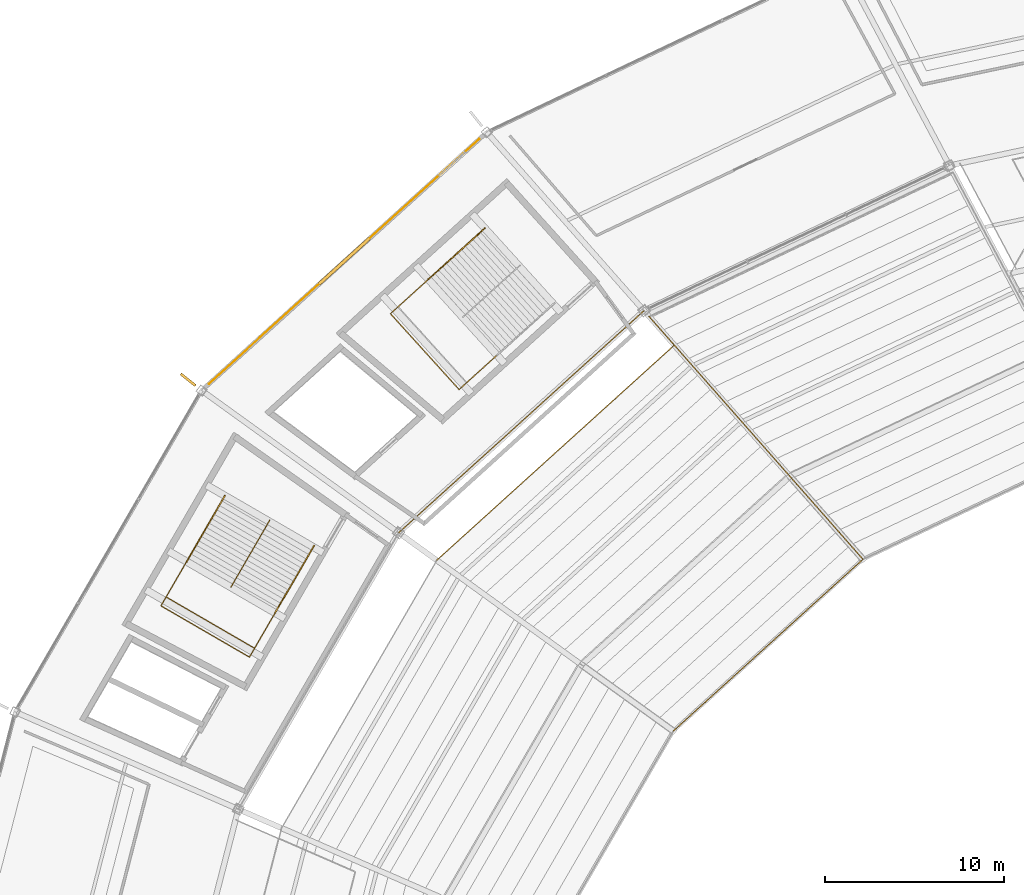
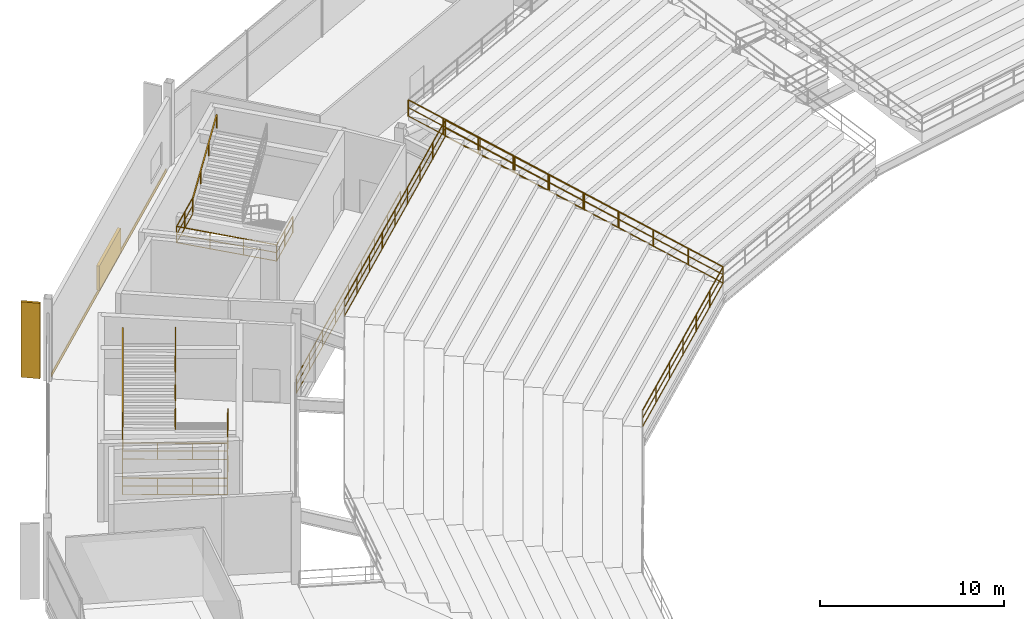
# One storey, part 181 of 186: 12 railings, 2 shading devices, 1 covering.
"""IFC4 building model written with IfcOpenShell, lengths in metres."""

from ifc_helpers import new_model, si_unit, direction, frame, origin, origin_2d, place, context, subcontext, project, spatial, rectangle, extrude, material, layer, layer_set, type_object, element, save


model = new_model("IFC4")

# Units and contexts
model_context = context("Model", 3, precision=1e-05, world=origin(), true_north=direction((0.0, 1.0)))
body_context = subcontext(model_context, "Body", "Model", "MODEL_VIEW")
ifc_project = project(units=[si_unit("LENGTHUNIT", "METRE"), si_unit("AREAUNIT", "SQUARE_METRE"), si_unit("VOLUMEUNIT", "CUBIC_METRE"), si_unit("PLANEANGLEUNIT", "RADIAN"), si_unit("MASSUNIT", "GRAM", prefix="KILO")], contexts=[model_context])

# Site, building, storey
site_placement = place(None, origin())
site = spatial("IfcSite", under=ifc_project, at=site_placement, CompositionType="ELEMENT")
building_placement = place(site_placement, origin())
building = spatial("IfcBuilding", under=site, at=building_placement, Name="Kazemori Nagisa Stadium", CompositionType="ELEMENT")
storey_placement = place(building_placement, frame((0.0, 0.0, 20.39990234375)))
storey = spatial("IfcBuildingStorey", under=building, at=storey_placement, Name="L04", CompositionType="ELEMENT", Elevation=20.39990234375)

# Covering
ifc_material_1 = material(Name="Anodised aluminium 6063-T5", Category="aluminium")
ifc_layer = layer(ifc_material_1, 0.034912109375, Name="Anodised aluminium 6063-T5", Category="aluminium")
ifc_layer_set = layer_set([ifc_layer], Name="Anodised aluminium 6063-T5")
covering_type = type_object("IfcCoveringType", Name="Covering_CLAD", PredefinedType="CLADDING", material=ifc_layer_set)
covering_placement = place(storey_placement, frame((52.453369140625, 165.86328125, -0.259765625), z_axis=(0.0, 0.0, 1.0), x_axis=(-0.741350875443, -0.671117634607, 0.0)))
element("IfcCovering", 1, at=covering_placement, inside=storey, type_object=covering_type, Name="Anodised fascia cladding L04-B11", PredefinedType="CLADDING", context=body_context, shape_type="SweptSolid", body=[
    extrude(rectangle(XDim=20.34375, YDim=0.0400390625, at=origin_2d()), origin(), (0.0, 0.0, 1.0), 0.260009765625),
])

# Shading devices
ifc_material_2 = material(Name="Aluminium 6063-T5 anodised", Category="aluminium")
shading_device_type_1 = type_object("IfcShadingDeviceType", Name="Fin_FN03", PredefinedType="USERDEFINED", material=ifc_material_2)
shading_device_1_placement = place(storey_placement, frame((43.758056640625, 159.26318359375, 0.0), z_axis=(0.0, 0.0, 1.0), x_axis=(-0.781831482473, 0.623489801853, 0.0)))
element("IfcShadingDevice", 2, at=shading_device_1_placement, inside=storey, type_object=shading_device_type_1, Name="Aerodynamic wave shading fin L04-12", ObjectType="FIN", PredefinedType="USERDEFINED", context=body_context, shape_type="SweptSolid", body=[
    extrude(rectangle(XDim=1.050048828125, YDim=0.139892578125, at=origin_2d()), origin(), (0.0, 0.0, 1.0), 5.0),
])
shading_device_type_2 = type_object("IfcShadingDeviceType", Name="Louvre_LV02", PredefinedType="JALOUSIE", material=ifc_material_2)
shading_device_2_placement = place(storey_placement, frame((52.453369140625, 165.86328125, -0.010009765625), z_axis=(0.0, 0.0, 1.0), x_axis=(-0.741350875443, -0.671117634607, 0.0)))
element("IfcShadingDevice", 3, at=shading_device_2_placement, inside=storey, type_object=shading_device_type_2, Name="Concourse ventilation louvre L04-B11", PredefinedType="JALOUSIE", context=body_context, shape_type="SweptSolid", body=[
    extrude(rectangle(XDim=3.800048828125, YDim=0.179931640625, at=origin_2d()), origin(), (0.0, 0.0, 1.0), 1.60009765625),
])

# Railings
ifc_material_3 = material(Name="Laminated safety glass and stainless steel SUS304", Category="steel")
railing_type_1 = type_object("IfcRailingType", Name="Rail_BAL", PredefinedType="BALUSTRADE", material=ifc_material_3)
railing_1_placement = place(storey_placement, frame((69.165771484375, 163.11083984375, 0.0)))
element("IfcRailing", 4, at=railing_1_placement, inside=storey, type_object=railing_type_1, Name="Upper concourse balustrade L04-B11", PredefinedType="BALUSTRADE", context=body_context, shape_type="SweptSolid", body=[
    extrude(rectangle(XDim=0.050048828125, YDim=0.050048828125, at=origin_2d()), frame((0.0, 0.0, 1.09521484375), z_axis=(-0.741349142139, -0.671119549298, 0.0), x_axis=(0.671119549298, -0.741349142139, 0.0)), (0.0, 0.0, 1.0), 18.44189453125),
    extrude(rectangle(XDim=0.03759765625, YDim=0.03759765625, at=origin_2d()), frame((0.0, 0.0, 0.58251953125), z_axis=(-0.741349142139, -0.671119549298, 0.0), x_axis=(0.671119549298, -0.741349142139, 0.0)), (0.0, 0.0, 1.0), 18.44189453125),
    extrude(rectangle(XDim=0.03759765625, YDim=0.03759765625, at=origin_2d()), frame((0.0, 0.0, 0.02490234375), z_axis=(-0.741349142139, -0.671119549298, 0.0), x_axis=(0.671119549298, -0.741349142139, 0.0)), (0.0, 0.0, 1.0), 18.44189453125),
    extrude(rectangle(XDim=0.044921875, YDim=0.044921875, at=origin_2d()), origin(), (0.0, 0.0, 1.0), 1.070068359375),
    extrude(rectangle(XDim=0.044921875, YDim=0.044921875, at=origin_2d()), frame((-1.708984375, -1.547119140625, 0.0)), (0.0, 0.0, 1.0), 1.070068359375),
    extrude(rectangle(XDim=0.044921875, YDim=0.044921875, at=origin_2d()), frame((-3.41796875, -3.09423828125, 0.0)), (0.0, 0.0, 1.0), 1.070068359375),
    extrude(rectangle(XDim=0.044921875, YDim=0.044921875, at=origin_2d()), frame((-5.126953125, -4.641357421875, 0.0)), (0.0, 0.0, 1.0), 1.070068359375),
    extrude(rectangle(XDim=0.044921875, YDim=0.044921875, at=origin_2d()), frame((-6.8359375, -6.1884765625, 0.0)), (0.0, 0.0, 1.0), 1.070068359375),
    extrude(rectangle(XDim=0.044921875, YDim=0.044921875, at=origin_2d()), frame((-8.544921875, -7.7353515625, 0.0)), (0.0, 0.0, 1.0), 1.070068359375),
    extrude(rectangle(XDim=0.044921875, YDim=0.044921875, at=origin_2d()), frame((-10.25390625, -9.282470703125, 0.0)), (0.0, 0.0, 1.0), 1.070068359375),
    extrude(rectangle(XDim=0.044921875, YDim=0.044921875, at=origin_2d()), frame((-11.962890625, -10.82958984375, 0.0)), (0.0, 0.0, 1.0), 1.070068359375),
    extrude(rectangle(XDim=0.044921875, YDim=0.044921875, at=origin_2d()), frame((-13.671875, -12.376708984375, 0.0)), (0.0, 0.0, 1.0), 1.070068359375),
])
ifc_material_4 = material(Name="Galvanised powder-coated steel", Category="steel")
railing_type_2 = type_object("IfcRailingType", Name="Rail_GUARD", PredefinedType="GUARDRAIL", material=ifc_material_4)
railing_2_placement = place(storey_placement, frame((60.97412109375, 160.630615234375, 2.72021484375)))
element("IfcRailing", 5, at=railing_2_placement, inside=storey, type_object=railing_type_2, Name="Stair landing guard ST02-L04", PredefinedType="GUARDRAIL", context=body_context, shape_type="SweptSolid", body=[
    extrude(rectangle(XDim=0.050048828125, YDim=0.050048828125, at=origin_2d()), frame((0.0, 0.0, 1.09521484375), z_axis=(-0.741314535645, -0.671157775223, 0.0), x_axis=(0.671157775223, -0.741314535645, 0.0)), (0.0, 0.0, 1.0), 2.85009765625),
    extrude(rectangle(XDim=0.03759765625, YDim=0.03759765625, at=origin_2d()), frame((0.0, 0.0, 0.58251953125), z_axis=(-0.741314535645, -0.671157775223, 0.0), x_axis=(0.671157775223, -0.741314535645, 0.0)), (0.0, 0.0, 1.0), 2.85009765625),
    extrude(rectangle(XDim=0.03759765625, YDim=0.03759765625, at=origin_2d()), frame((0.0, 0.0, 0.02490234375), z_axis=(-0.741314535645, -0.671157775223, 0.0), x_axis=(0.671157775223, -0.741314535645, 0.0)), (0.0, 0.0, 1.0), 2.85009765625),
    extrude(rectangle(XDim=0.050048828125, YDim=0.050048828125, at=origin_2d()), frame((-2.11279296875, -1.912841796875, 1.09521484375), z_axis=(-0.671112926645, 0.74135513736, 0.0), x_axis=(-0.74135513736, -0.671112926645, 0.0)), (0.0, 0.0, 1.0), 5.7001953125),
    extrude(rectangle(XDim=0.03759765625, YDim=0.03759765625, at=origin_2d()), frame((-2.11279296875, -1.912841796875, 0.58251953125), z_axis=(-0.671112926645, 0.74135513736, 0.0), x_axis=(-0.74135513736, -0.671112926645, 0.0)), (0.0, 0.0, 1.0), 5.7001953125),
    extrude(rectangle(XDim=0.03759765625, YDim=0.03759765625, at=origin_2d()), frame((-2.11279296875, -1.912841796875, 0.02490234375), z_axis=(-0.671112926645, 0.74135513736, 0.0), x_axis=(-0.74135513736, -0.671112926645, 0.0)), (0.0, 0.0, 1.0), 5.7001953125),
    extrude(rectangle(XDim=0.050048828125, YDim=0.050048828125, at=origin_2d()), frame((-5.938232421875, 2.31298828125, 1.09521484375), z_axis=(0.741357156534, 0.671110696127, 0.0), x_axis=(-0.671110696127, 0.741357156534, 0.0)), (0.0, 0.0, 1.0), 2.849853515625),
    extrude(rectangle(XDim=0.03759765625, YDim=0.03759765625, at=origin_2d()), frame((-5.938232421875, 2.31298828125, 0.58251953125), z_axis=(0.741357156534, 0.671110696127, 0.0), x_axis=(-0.671110696127, 0.741357156534, 0.0)), (0.0, 0.0, 1.0), 2.849853515625),
    extrude(rectangle(XDim=0.03759765625, YDim=0.03759765625, at=origin_2d()), frame((-5.938232421875, 2.31298828125, 0.02490234375), z_axis=(0.741357156534, 0.671110696127, 0.0), x_axis=(-0.671110696127, 0.741357156534, 0.0)), (0.0, 0.0, 1.0), 2.849853515625),
    extrude(rectangle(XDim=0.044921875, YDim=0.044921875, at=origin_2d()), origin(), (0.0, 0.0, 1.0), 1.070068359375),
    extrude(rectangle(XDim=0.044921875, YDim=0.044921875, at=origin_2d()), frame((-1.056396484375, -0.95654296875, 0.0)), (0.0, 0.0, 1.0), 1.070068359375),
    extrude(rectangle(XDim=0.044921875, YDim=0.044921875, at=origin_2d()), frame((-2.11279296875, -1.912841796875, 0.0)), (0.0, 0.0, 1.0), 1.070068359375),
    extrude(rectangle(XDim=0.044921875, YDim=0.044921875, at=origin_2d()), frame((-3.387939453125, -0.504150390625, 0.0)), (0.0, 0.0, 1.0), 1.070068359375),
    extrude(rectangle(XDim=0.044921875, YDim=0.044921875, at=origin_2d()), frame((-4.6630859375, 0.904296875, 0.0)), (0.0, 0.0, 1.0), 1.070068359375),
    extrude(rectangle(XDim=0.044921875, YDim=0.044921875, at=origin_2d()), frame((-5.938232421875, 2.31298828125, 0.0)), (0.0, 0.0, 1.0), 1.070068359375),
    extrude(rectangle(XDim=0.044921875, YDim=0.044921875, at=origin_2d()), frame((-4.8818359375, 3.269287109375, 0.0)), (0.0, 0.0, 1.0), 1.070068359375),
    extrude(rectangle(XDim=0.044921875, YDim=0.044921875, at=origin_2d()), frame((-3.825439453125, 4.2255859375, 0.0)), (0.0, 0.0, 1.0), 1.070068359375),
])
railing_3_placement = place(storey_placement, frame((50.736083984375, 149.940673828125, 0.0)))
element("IfcRailing", 6, at=railing_3_placement, inside=storey, type_object=railing_type_2, Name="Stair well perimeter guard ST08-L04", PredefinedType="GUARDRAIL", context=body_context, shape_type="SweptSolid", body=[
    extrude(rectangle(XDim=0.050048828125, YDim=0.050048828125, at=origin_2d()), frame((0.0, 0.0, 1.09521484375), z_axis=(-0.501601054686, -0.865099059032, 0.0), x_axis=(0.865099059032, -0.501601054686, 0.0)), (0.0, 0.0, 1.0), 6.52490234375),
    extrude(rectangle(XDim=0.03759765625, YDim=0.03759765625, at=origin_2d()), frame((0.0, 0.0, 0.58251953125), z_axis=(-0.501601054686, -0.865099059032, 0.0), x_axis=(0.865099059032, -0.501601054686, 0.0)), (0.0, 0.0, 1.0), 6.52490234375),
    extrude(rectangle(XDim=0.03759765625, YDim=0.03759765625, at=origin_2d()), frame((0.0, 0.0, 0.02490234375), z_axis=(-0.501601054686, -0.865099059032, 0.0), x_axis=(0.865099059032, -0.501601054686, 0.0)), (0.0, 0.0, 1.0), 6.52490234375),
    extrude(rectangle(XDim=0.050048828125, YDim=0.050048828125, at=origin_2d()), frame((-3.27294921875, -5.644775390625, 1.09521484375), z_axis=(-0.865102561401, 0.501595014188, 0.0), x_axis=(-0.501595014188, -0.865102561401, 0.0)), (0.0, 0.0, 1.0), 5.7001953125),
    extrude(rectangle(XDim=0.03759765625, YDim=0.03759765625, at=origin_2d()), frame((-3.27294921875, -5.644775390625, 0.58251953125), z_axis=(-0.865102561401, 0.501595014188, 0.0), x_axis=(-0.501595014188, -0.865102561401, 0.0)), (0.0, 0.0, 1.0), 5.7001953125),
    extrude(rectangle(XDim=0.03759765625, YDim=0.03759765625, at=origin_2d()), frame((-3.27294921875, -5.644775390625, 0.02490234375), z_axis=(-0.865102561401, 0.501595014188, 0.0), x_axis=(-0.501595014188, -0.865102561401, 0.0)), (0.0, 0.0, 1.0), 5.7001953125),
    extrude(rectangle(XDim=0.050048828125, YDim=0.050048828125, at=origin_2d()), frame((-8.2041015625, -2.78564453125, 1.09521484375), z_axis=(0.501629056017, 0.865082822717, 0.0), x_axis=(-0.865082822717, 0.501629056017, 0.0)), (0.0, 0.0, 1.0), 6.525146484375),
    extrude(rectangle(XDim=0.03759765625, YDim=0.03759765625, at=origin_2d()), frame((-8.2041015625, -2.78564453125, 0.58251953125), z_axis=(0.501629056017, 0.865082822717, 0.0), x_axis=(-0.865082822717, 0.501629056017, 0.0)), (0.0, 0.0, 1.0), 6.525146484375),
    extrude(rectangle(XDim=0.03759765625, YDim=0.03759765625, at=origin_2d()), frame((-8.2041015625, -2.78564453125, 0.02490234375), z_axis=(0.501629056017, 0.865082822717, 0.0), x_axis=(-0.865082822717, 0.501629056017, 0.0)), (0.0, 0.0, 1.0), 6.525146484375),
    extrude(rectangle(XDim=0.044921875, YDim=0.044921875, at=origin_2d()), origin(), (0.0, 0.0, 1.0), 1.070068359375),
    extrude(rectangle(XDim=0.044921875, YDim=0.044921875, at=origin_2d()), frame((-1.091064453125, -1.881591796875, 0.0)), (0.0, 0.0, 1.0), 1.070068359375),
    extrude(rectangle(XDim=0.044921875, YDim=0.044921875, at=origin_2d()), frame((-2.181884765625, -3.76318359375, 0.0)), (0.0, 0.0, 1.0), 1.070068359375),
    extrude(rectangle(XDim=0.044921875, YDim=0.044921875, at=origin_2d()), frame((-3.27294921875, -5.644775390625, 0.0)), (0.0, 0.0, 1.0), 1.070068359375),
    extrude(rectangle(XDim=0.044921875, YDim=0.044921875, at=origin_2d()), frame((-4.916748046875, -4.691650390625, 0.0)), (0.0, 0.0, 1.0), 1.070068359375),
    extrude(rectangle(XDim=0.044921875, YDim=0.044921875, at=origin_2d()), frame((-6.560302734375, -3.73876953125, 0.0)), (0.0, 0.0, 1.0), 1.070068359375),
    extrude(rectangle(XDim=0.044921875, YDim=0.044921875, at=origin_2d()), frame((-8.2041015625, -2.78564453125, 0.0)), (0.0, 0.0, 1.0), 1.070068359375),
    extrude(rectangle(XDim=0.044921875, YDim=0.044921875, at=origin_2d()), frame((-7.113037109375, -0.904052734375, 0.0)), (0.0, 0.0, 1.0), 1.070068359375),
    extrude(rectangle(XDim=0.044921875, YDim=0.044921875, at=origin_2d()), frame((-6.02197265625, 0.9775390625, 0.0)), (0.0, 0.0, 1.0), 1.070068359375),
    extrude(rectangle(XDim=0.044921875, YDim=0.044921875, at=origin_2d()), frame((-4.930908203125, 2.859130859375, 0.0)), (0.0, 0.0, 1.0), 1.070068359375),
])
railing_4_placement = place(storey_placement, frame((48.310791015625, 151.439453125, 0.0)))
element("IfcRailing", 7, at=railing_4_placement, inside=storey, type_object=railing_type_2, Name="Stair central guard ST08-L04", PredefinedType="GUARDRAIL", context=body_context, shape_type="SweptSolid", body=[
    extrude(rectangle(XDim=0.050048828125, YDim=0.050048828125, at=origin_2d()), frame((0.0, 0.0, 1.09521484375), z_axis=(-0.424593654566, -0.732311765685, 0.532390558088), x_axis=(0.865106633618, -0.501587990756, 0.0)), (0.0, 0.0, 1.0), 5.109375),
    extrude(rectangle(XDim=0.03759765625, YDim=0.03759765625, at=origin_2d()), frame((0.0, 0.0, 0.58251953125), z_axis=(-0.424593654566, -0.732311765685, 0.532390558088), x_axis=(0.865106633618, -0.501587990756, 0.0)), (0.0, 0.0, 1.0), 5.109375),
    extrude(rectangle(XDim=0.03759765625, YDim=0.03759765625, at=origin_2d()), frame((0.0, 0.0, 0.02490234375), z_axis=(-0.424593654566, -0.732311765685, 0.532390558088), x_axis=(0.865106633618, -0.501587990756, 0.0)), (0.0, 0.0, 1.0), 5.109375),
    extrude(rectangle(XDim=0.050048828125, YDim=0.050048828125, at=origin_2d()), frame((-2.16943359375, -3.74169921875, 3.8154296875), z_axis=(0.422316044077, 0.728411642588, 0.539504993357), x_axis=(-0.865115045716, 0.50157348183, 0.0)), (0.0, 0.0, 1.0), 5.04150390625),
    extrude(rectangle(XDim=0.03759765625, YDim=0.03759765625, at=origin_2d()), frame((-2.16943359375, -3.74169921875, 3.302734375), z_axis=(0.422316044077, 0.728411642588, 0.539504993357), x_axis=(-0.865115045716, 0.50157348183, 0.0)), (0.0, 0.0, 1.0), 5.04150390625),
    extrude(rectangle(XDim=0.03759765625, YDim=0.03759765625, at=origin_2d()), frame((-2.16943359375, -3.74169921875, 2.7451171875), z_axis=(0.422316044077, 0.728411642588, 0.539504993357), x_axis=(-0.865115045716, 0.50157348183, 0.0)), (0.0, 0.0, 1.0), 5.04150390625),
    extrude(rectangle(XDim=0.044921875, YDim=0.044921875, at=origin_2d()), origin(), (0.0, 0.0, 1.0), 1.070068359375),
    extrude(rectangle(XDim=0.044921875, YDim=0.044921875, at=origin_2d()), frame((-0.72314453125, -1.247314453125, 0.90673828125)), (0.0, 0.0, 1.0), 1.070068359375),
    extrude(rectangle(XDim=0.044921875, YDim=0.044921875, at=origin_2d()), frame((-1.4462890625, -2.494384765625, 1.8134765625)), (0.0, 0.0, 1.0), 1.070068359375),
    extrude(rectangle(XDim=0.044921875, YDim=0.044921875, at=origin_2d()), frame((-2.16943359375, -3.74169921875, 2.72021484375)), (0.0, 0.0, 1.0), 1.070068359375),
    extrude(rectangle(XDim=0.044921875, YDim=0.044921875, at=origin_2d()), frame((-1.459716796875, -2.517578125, 3.626953125)), (0.0, 0.0, 1.0), 1.070068359375),
    extrude(rectangle(XDim=0.044921875, YDim=0.044921875, at=origin_2d()), frame((-0.75, -1.29345703125, 4.533447265625)), (0.0, 0.0, 1.0), 1.070068359375),
    extrude(rectangle(XDim=0.044921875, YDim=0.044921875, at=origin_2d()), frame((-0.040283203125, -0.0693359375, 5.440185546875)), (0.0, 0.0, 1.0), 1.070068359375),
])
railing_5_placement = place(storey_placement, frame((48.606689453125, 146.268310546875, 2.72021484375)))
element("IfcRailing", 8, at=railing_5_placement, inside=storey, type_object=railing_type_2, Name="Stair landing guard ST08-L04", PredefinedType="GUARDRAIL", context=body_context, shape_type="SweptSolid", body=[
    extrude(rectangle(XDim=0.050048828125, YDim=0.050048828125, at=origin_2d()), frame((0.0, 0.0, 1.09521484375), z_axis=(-0.501562958255, -0.865121146954, 0.0), x_axis=(0.865121146954, -0.501562958255, 0.0)), (0.0, 0.0, 1.0), 2.85009765625),
    extrude(rectangle(XDim=0.03759765625, YDim=0.03759765625, at=origin_2d()), frame((0.0, 0.0, 0.58251953125), z_axis=(-0.501562958255, -0.865121146954, 0.0), x_axis=(0.865121146954, -0.501562958255, 0.0)), (0.0, 0.0, 1.0), 2.85009765625),
    extrude(rectangle(XDim=0.03759765625, YDim=0.03759765625, at=origin_2d()), frame((0.0, 0.0, 0.02490234375), z_axis=(-0.501562958255, -0.865121146954, 0.0), x_axis=(0.865121146954, -0.501562958255, 0.0)), (0.0, 0.0, 1.0), 2.85009765625),
    extrude(rectangle(XDim=0.050048828125, YDim=0.050048828125, at=origin_2d()), frame((-1.429443359375, -2.465576171875, 1.09521484375), z_axis=(-0.865102561401, 0.501595014188, 0.0), x_axis=(-0.501595014188, -0.865102561401, 0.0)), (0.0, 0.0, 1.0), 5.7001953125),
    extrude(rectangle(XDim=0.03759765625, YDim=0.03759765625, at=origin_2d()), frame((-1.429443359375, -2.465576171875, 0.58251953125), z_axis=(-0.865102561401, 0.501595014188, 0.0), x_axis=(-0.501595014188, -0.865102561401, 0.0)), (0.0, 0.0, 1.0), 5.7001953125),
    extrude(rectangle(XDim=0.03759765625, YDim=0.03759765625, at=origin_2d()), frame((-1.429443359375, -2.465576171875, 0.02490234375), z_axis=(-0.865102561401, 0.501595014188, 0.0), x_axis=(-0.501595014188, -0.865102561401, 0.0)), (0.0, 0.0, 1.0), 5.7001953125),
    extrude(rectangle(XDim=0.050048828125, YDim=0.050048828125, at=origin_2d()), frame((-6.360595703125, 0.3935546875, 1.09521484375), z_axis=(0.501627068055, 0.865083975458, 0.0), x_axis=(-0.865083975458, 0.501627068055, 0.0)), (0.0, 0.0, 1.0), 2.85009765625),
    extrude(rectangle(XDim=0.03759765625, YDim=0.03759765625, at=origin_2d()), frame((-6.360595703125, 0.3935546875, 0.58251953125), z_axis=(0.501627068055, 0.865083975458, 0.0), x_axis=(-0.865083975458, 0.501627068055, 0.0)), (0.0, 0.0, 1.0), 2.85009765625),
    extrude(rectangle(XDim=0.03759765625, YDim=0.03759765625, at=origin_2d()), frame((-6.360595703125, 0.3935546875, 0.02490234375), z_axis=(0.501627068055, 0.865083975458, 0.0), x_axis=(-0.865083975458, 0.501627068055, 0.0)), (0.0, 0.0, 1.0), 2.85009765625),
    extrude(rectangle(XDim=0.044921875, YDim=0.044921875, at=origin_2d()), origin(), (0.0, 0.0, 1.0), 1.070068359375),
    extrude(rectangle(XDim=0.044921875, YDim=0.044921875, at=origin_2d()), frame((-0.71484375, -1.23291015625, 0.0)), (0.0, 0.0, 1.0), 1.070068359375),
    extrude(rectangle(XDim=0.044921875, YDim=0.044921875, at=origin_2d()), frame((-1.429443359375, -2.465576171875, 0.0)), (0.0, 0.0, 1.0), 1.070068359375),
    extrude(rectangle(XDim=0.044921875, YDim=0.044921875, at=origin_2d()), frame((-3.0732421875, -1.512451171875, 0.0)), (0.0, 0.0, 1.0), 1.070068359375),
    extrude(rectangle(XDim=0.044921875, YDim=0.044921875, at=origin_2d()), frame((-4.716796875, -0.5595703125, 0.0)), (0.0, 0.0, 1.0), 1.070068359375),
    extrude(rectangle(XDim=0.044921875, YDim=0.044921875, at=origin_2d()), frame((-6.360595703125, 0.3935546875, 0.0)), (0.0, 0.0, 1.0), 1.070068359375),
    extrude(rectangle(XDim=0.044921875, YDim=0.044921875, at=origin_2d()), frame((-5.645751953125, 1.62646484375, 0.0)), (0.0, 0.0, 1.0), 1.070068359375),
    extrude(rectangle(XDim=0.044921875, YDim=0.044921875, at=origin_2d()), frame((-4.930908203125, 2.859130859375, 0.0)), (0.0, 0.0, 1.0), 1.070068359375),
])
railing_6_placement = place(storey_placement, frame((81.372314453125, 149.254150390625, -0.8798828125)))
element("IfcRailing", 9, at=railing_6_placement, inside=storey, type_object=railing_type_2, Name="Upper tier radial step guard B10R", PredefinedType="GUARDRAIL", context=body_context, shape_type="SweptSolid", body=[
    extrude(rectangle(XDim=0.050048828125, YDim=0.050048828125, at=origin_2d()), frame((0.0, 0.0, 1.09521484375), z_axis=(-0.615747874347, 0.698980226973, 0.363704821989), x_axis=(-0.750369868369, -0.661018199934, 0.0)), (0.0, 0.0, 1.0), 19.3564453125),
    extrude(rectangle(XDim=0.03759765625, YDim=0.03759765625, at=origin_2d()), frame((0.0, 0.0, 0.58251953125), z_axis=(-0.615747874347, 0.698980226973, 0.363704821989), x_axis=(-0.750369868369, -0.661018199934, 0.0)), (0.0, 0.0, 1.0), 19.3564453125),
    extrude(rectangle(XDim=0.03759765625, YDim=0.03759765625, at=origin_2d()), frame((0.0, 0.0, 0.02490234375), z_axis=(-0.615747874347, 0.698980226973, 0.363704821989), x_axis=(-0.750369868369, -0.661018199934, 0.0)), (0.0, 0.0, 1.0), 19.3564453125),
    extrude(rectangle(XDim=0.044921875, YDim=0.044921875, at=origin_2d()), origin(), (0.0, 0.0, 1.0), 1.070068359375),
    extrude(rectangle(XDim=0.044921875, YDim=0.044921875, at=origin_2d()), frame((-1.32421875, 1.50341796875, 0.7822265625)), (0.0, 0.0, 1.0), 1.070068359375),
    extrude(rectangle(XDim=0.044921875, YDim=0.044921875, at=origin_2d()), frame((-2.648681640625, 3.006591796875, 1.564453125)), (0.0, 0.0, 1.0), 1.070068359375),
    extrude(rectangle(XDim=0.044921875, YDim=0.044921875, at=origin_2d()), frame((-3.972900390625, 4.510009765625, 2.3466796875)), (0.0, 0.0, 1.0), 1.070068359375),
    extrude(rectangle(XDim=0.044921875, YDim=0.044921875, at=origin_2d()), frame((-5.297119140625, 6.01318359375, 3.12890625)), (0.0, 0.0, 1.0), 1.070068359375),
    extrude(rectangle(XDim=0.044921875, YDim=0.044921875, at=origin_2d()), frame((-6.62158203125, 7.5166015625, 3.9111328125)), (0.0, 0.0, 1.0), 1.070068359375),
    extrude(rectangle(XDim=0.044921875, YDim=0.044921875, at=origin_2d()), frame((-7.94580078125, 9.019775390625, 4.693359375)), (0.0, 0.0, 1.0), 1.070068359375),
    extrude(rectangle(XDim=0.044921875, YDim=0.044921875, at=origin_2d()), frame((-9.27001953125, 10.523193359375, 5.4755859375)), (0.0, 0.0, 1.0), 1.070068359375),
    extrude(rectangle(XDim=0.044921875, YDim=0.044921875, at=origin_2d()), frame((-10.594482421875, 12.0263671875, 6.2578125)), (0.0, 0.0, 1.0), 1.070068359375),
    extrude(rectangle(XDim=0.044921875, YDim=0.044921875, at=origin_2d()), frame((-11.918701171875, 13.52978515625, 7.0400390625)), (0.0, 0.0, 1.0), 1.070068359375),
])
railing_7_placement = place(storey_placement, frame((81.372314453125, 149.254150390625, -0.8798828125)))
element("IfcRailing", 10, at=railing_7_placement, inside=storey, type_object=railing_type_2, Name="Upper tier front crowd barrier B11", PredefinedType="GUARDRAIL", context=body_context, shape_type="SweptSolid", body=[
    extrude(rectangle(XDim=0.050048828125, YDim=0.050048828125, at=origin_2d()), frame((0.0, 0.0, 1.09521484375), z_axis=(-0.7413568829, -0.671110998402, 0.0), x_axis=(0.671110998402, -0.7413568829, 0.0)), (0.0, 0.0, 1.0), 14.260009765625),
    extrude(rectangle(XDim=0.03759765625, YDim=0.03759765625, at=origin_2d()), frame((0.0, 0.0, 0.58251953125), z_axis=(-0.7413568829, -0.671110998402, 0.0), x_axis=(0.671110998402, -0.7413568829, 0.0)), (0.0, 0.0, 1.0), 14.260009765625),
    extrude(rectangle(XDim=0.03759765625, YDim=0.03759765625, at=origin_2d()), frame((0.0, 0.0, 0.02490234375), z_axis=(-0.7413568829, -0.671110998402, 0.0), x_axis=(0.671110998402, -0.7413568829, 0.0)), (0.0, 0.0, 1.0), 14.260009765625),
    extrude(rectangle(XDim=0.044921875, YDim=0.044921875, at=origin_2d()), origin(), (0.0, 0.0, 1.0), 1.070068359375),
    extrude(rectangle(XDim=0.044921875, YDim=0.044921875, at=origin_2d()), frame((-1.761962890625, -1.594970703125, 0.0)), (0.0, 0.0, 1.0), 1.070068359375),
    extrude(rectangle(XDim=0.044921875, YDim=0.044921875, at=origin_2d()), frame((-3.52392578125, -3.18994140625, 0.0)), (0.0, 0.0, 1.0), 1.070068359375),
    extrude(rectangle(XDim=0.044921875, YDim=0.044921875, at=origin_2d()), frame((-5.285888671875, -4.78515625, 0.0)), (0.0, 0.0, 1.0), 1.070068359375),
    extrude(rectangle(XDim=0.044921875, YDim=0.044921875, at=origin_2d()), frame((-7.0478515625, -6.380126953125, 0.0)), (0.0, 0.0, 1.0), 1.070068359375),
    extrude(rectangle(XDim=0.044921875, YDim=0.044921875, at=origin_2d()), frame((-8.809814453125, -7.97509765625, 0.0)), (0.0, 0.0, 1.0), 1.070068359375),
    extrude(rectangle(XDim=0.044921875, YDim=0.044921875, at=origin_2d()), frame((-10.57177734375, -9.570068359375, 0.0)), (0.0, 0.0, 1.0), 1.070068359375),
])
railing_8_placement = place(storey_placement, frame((70.85595703125, 161.192138671875, 5.280029296875)))
element("IfcRailing", 11, at=railing_8_placement, inside=storey, type_object=railing_type_2, Name="Upper tier rear guard B11", PredefinedType="GUARDRAIL", context=body_context, shape_type="SweptSolid", body=[
    extrude(rectangle(XDim=0.050048828125, YDim=0.050048828125, at=origin_2d()), frame((0.0, 0.0, 1.09521484375), z_axis=(-0.741352808081, -0.671115499709, 0.0), x_axis=(0.671115499709, -0.741352808081, 0.0)), (0.0, 0.0, 1.0), 17.86279296875),
    extrude(rectangle(XDim=0.03759765625, YDim=0.03759765625, at=origin_2d()), frame((0.0, 0.0, 0.58251953125), z_axis=(-0.741352808081, -0.671115499709, 0.0), x_axis=(0.671115499709, -0.741352808081, 0.0)), (0.0, 0.0, 1.0), 17.86279296875),
    extrude(rectangle(XDim=0.03759765625, YDim=0.03759765625, at=origin_2d()), frame((0.0, 0.0, 0.02490234375), z_axis=(-0.741352808081, -0.671115499709, 0.0), x_axis=(0.671115499709, -0.741352808081, 0.0)), (0.0, 0.0, 1.0), 17.86279296875),
    extrude(rectangle(XDim=0.044921875, YDim=0.044921875, at=origin_2d()), origin(), (0.0, 0.0, 1.0), 1.070068359375),
    extrude(rectangle(XDim=0.044921875, YDim=0.044921875, at=origin_2d()), frame((-1.6552734375, -1.49853515625, 0.0)), (0.0, 0.0, 1.0), 1.070068359375),
    extrude(rectangle(XDim=0.044921875, YDim=0.044921875, at=origin_2d()), frame((-3.310546875, -2.9970703125, 0.0)), (0.0, 0.0, 1.0), 1.070068359375),
    extrude(rectangle(XDim=0.044921875, YDim=0.044921875, at=origin_2d()), frame((-4.966064453125, -4.49560546875, 0.0)), (0.0, 0.0, 1.0), 1.070068359375),
    extrude(rectangle(XDim=0.044921875, YDim=0.044921875, at=origin_2d()), frame((-6.621337890625, -5.994140625, 0.0)), (0.0, 0.0, 1.0), 1.070068359375),
    extrude(rectangle(XDim=0.044921875, YDim=0.044921875, at=origin_2d()), frame((-8.276611328125, -7.492431640625, 0.0)), (0.0, 0.0, 1.0), 1.070068359375),
    extrude(rectangle(XDim=0.044921875, YDim=0.044921875, at=origin_2d()), frame((-9.93212890625, -8.990966796875, 0.0)), (0.0, 0.0, 1.0), 1.070068359375),
    extrude(rectangle(XDim=0.044921875, YDim=0.044921875, at=origin_2d()), frame((-11.58740234375, -10.489501953125, 0.0)), (0.0, 0.0, 1.0), 1.070068359375),
    extrude(rectangle(XDim=0.044921875, YDim=0.044921875, at=origin_2d()), frame((-13.24267578125, -11.988037109375, 0.0)), (0.0, 0.0, 1.0), 1.070068359375),
])
railing_9_placement = place(storey_placement, frame((81.372314453125, 149.254150390625, -0.8798828125)))
element("IfcRailing", 12, at=railing_9_placement, inside=storey, type_object=railing_type_2, Name="Upper tier radial step guard B11L", PredefinedType="GUARDRAIL", context=body_context, shape_type="SweptSolid", body=[
    extrude(rectangle(XDim=0.050048828125, YDim=0.050048828125, at=origin_2d()), frame((0.0, 0.0, 1.09521484375), z_axis=(-0.616422752439, 0.699752518834, 0.361067033472), x_axis=(-0.750372768064, -0.661014908265, 0.0)), (0.0, 0.0, 1.0), 17.060302734375),
    extrude(rectangle(XDim=0.03759765625, YDim=0.03759765625, at=origin_2d()), frame((0.0, 0.0, 0.58251953125), z_axis=(-0.616422752439, 0.699752518834, 0.361067033472), x_axis=(-0.750372768064, -0.661014908265, 0.0)), (0.0, 0.0, 1.0), 17.060302734375),
    extrude(rectangle(XDim=0.03759765625, YDim=0.03759765625, at=origin_2d()), frame((0.0, 0.0, 0.02490234375), z_axis=(-0.616422752439, 0.699752518834, 0.361067033472), x_axis=(-0.750372768064, -0.661014908265, 0.0)), (0.0, 0.0, 1.0), 17.060302734375),
    extrude(rectangle(XDim=0.044921875, YDim=0.044921875, at=origin_2d()), origin(), (0.0, 0.0, 1.0), 1.070068359375),
    extrude(rectangle(XDim=0.044921875, YDim=0.044921875, at=origin_2d()), frame((-1.314453125, 1.4921875, 0.77001953125)), (0.0, 0.0, 1.0), 1.070068359375),
    extrude(rectangle(XDim=0.044921875, YDim=0.044921875, at=origin_2d()), frame((-2.629150390625, 2.984375, 1.5400390625)), (0.0, 0.0, 1.0), 1.070068359375),
    extrude(rectangle(XDim=0.044921875, YDim=0.044921875, at=origin_2d()), frame((-3.943603515625, 4.476806640625, 2.31005859375)), (0.0, 0.0, 1.0), 1.070068359375),
    extrude(rectangle(XDim=0.044921875, YDim=0.044921875, at=origin_2d()), frame((-5.25830078125, 5.968994140625, 3.080078125)), (0.0, 0.0, 1.0), 1.070068359375),
    extrude(rectangle(XDim=0.044921875, YDim=0.044921875, at=origin_2d()), frame((-6.57275390625, 7.461181640625, 3.849853515625)), (0.0, 0.0, 1.0), 1.070068359375),
    extrude(rectangle(XDim=0.044921875, YDim=0.044921875, at=origin_2d()), frame((-7.88720703125, 8.95361328125, 4.619873046875)), (0.0, 0.0, 1.0), 1.070068359375),
    extrude(rectangle(XDim=0.044921875, YDim=0.044921875, at=origin_2d()), frame((-9.201904296875, 10.44580078125, 5.389892578125)), (0.0, 0.0, 1.0), 1.070068359375),
    extrude(rectangle(XDim=0.044921875, YDim=0.044921875, at=origin_2d()), frame((-10.516357421875, 11.93798828125, 6.159912109375)), (0.0, 0.0, 1.0), 1.070068359375),
])
ifc_material_5 = material(Name="Stainless steel SUS304", Category="steel")
railing_type_3 = type_object("IfcRailingType", Name="Rail_HAND", PredefinedType="HANDRAIL", material=ifc_material_5)
railing_10_placement = place(storey_placement, frame((57.148681640625, 164.856201171875, 2.89013671875)))
element("IfcRailing", 13, at=railing_10_placement, inside=storey, type_object=railing_type_3, Name="Stair handrail ST02-L04-F2", PredefinedType="HANDRAIL", context=body_context, shape_type="SweptSolid", body=[
    extrude(rectangle(XDim=0.050048828125, YDim=0.050048828125, at=origin_2d()), frame((0.0, 0.0, 0.875), z_axis=(0.624230158192, 0.5650563739, 0.539488650408), x_axis=(-0.67109401143, 0.741372259949, 0.0)), (0.0, 0.0, 1.0), 5.041748046875),
    extrude(rectangle(XDim=0.044921875, YDim=0.044921875, at=origin_2d()), origin(), (0.0, 0.0, 1.0), 0.849853515625),
    extrude(rectangle(XDim=0.044921875, YDim=0.044921875, at=origin_2d()), frame((1.049072265625, 0.94970703125, 0.90673828125)), (0.0, 0.0, 1.0), 0.849853515625),
    extrude(rectangle(XDim=0.044921875, YDim=0.044921875, at=origin_2d()), frame((2.09814453125, 1.899169921875, 1.813232421875)), (0.0, 0.0, 1.0), 0.849853515625),
    extrude(rectangle(XDim=0.044921875, YDim=0.044921875, at=origin_2d()), frame((3.147216796875, 2.848876953125, 2.719970703125)), (0.0, 0.0, 1.0), 0.849853515625),
])
railing_11_placement = place(storey_placement, frame((50.776123046875, 150.009765625, 0.170166015625)))
element("IfcRailing", 14, at=railing_11_placement, inside=storey, type_object=railing_type_3, Name="Stair handrail ST08-L04-F1", PredefinedType="HANDRAIL", context=body_context, shape_type="SweptSolid", body=[
    extrude(rectangle(XDim=0.050048828125, YDim=0.050048828125, at=origin_2d()), frame((0.0, 0.0, 0.875), z_axis=(-0.424619314289, -0.732308236718, 0.532374947163), x_axis=(0.865092431049, -0.501612485632, 0.0)), (0.0, 0.0, 1.0), 5.109130859375),
    extrude(rectangle(XDim=0.044921875, YDim=0.044921875, at=origin_2d()), origin(), (0.0, 0.0, 1.0), 0.849853515625),
    extrude(rectangle(XDim=0.044921875, YDim=0.044921875, at=origin_2d()), frame((-0.72314453125, -1.2470703125, 0.90673828125)), (0.0, 0.0, 1.0), 0.849853515625),
    extrude(rectangle(XDim=0.044921875, YDim=0.044921875, at=origin_2d()), frame((-1.4462890625, -2.494384765625, 1.813232421875)), (0.0, 0.0, 1.0), 0.849853515625),
    extrude(rectangle(XDim=0.044921875, YDim=0.044921875, at=origin_2d()), frame((-2.16943359375, -3.741455078125, 2.719970703125)), (0.0, 0.0, 1.0), 0.849853515625),
])
railing_12_placement = place(storey_placement, frame((43.67578125, 149.12744140625, 2.89013671875)))
element("IfcRailing", 15, at=railing_12_placement, inside=storey, type_object=railing_type_3, Name="Stair handrail ST08-L04-F2", PredefinedType="HANDRAIL", context=body_context, shape_type="SweptSolid", body=[
    extrude(rectangle(XDim=0.050048828125, YDim=0.050048828125, at=origin_2d()), frame((0.0, 0.0, 0.875), z_axis=(0.42235583137, 0.728396745639, 0.53949395979), x_axis=(-0.865090089266, 0.501616524304, 0.0)), (0.0, 0.0, 1.0), 5.041748046875),
    extrude(rectangle(XDim=0.044921875, YDim=0.044921875, at=origin_2d()), origin(), (0.0, 0.0, 1.0), 0.849853515625),
    extrude(rectangle(XDim=0.044921875, YDim=0.044921875, at=origin_2d()), frame((0.709716796875, 1.22412109375, 0.90673828125)), (0.0, 0.0, 1.0), 0.849853515625),
    extrude(rectangle(XDim=0.044921875, YDim=0.044921875, at=origin_2d()), frame((1.419677734375, 2.4482421875, 1.813232421875)), (0.0, 0.0, 1.0), 0.849853515625),
    extrude(rectangle(XDim=0.044921875, YDim=0.044921875, at=origin_2d()), frame((2.12939453125, 3.67236328125, 2.719970703125)), (0.0, 0.0, 1.0), 0.849853515625),
])

save(model, "model.ifc")
